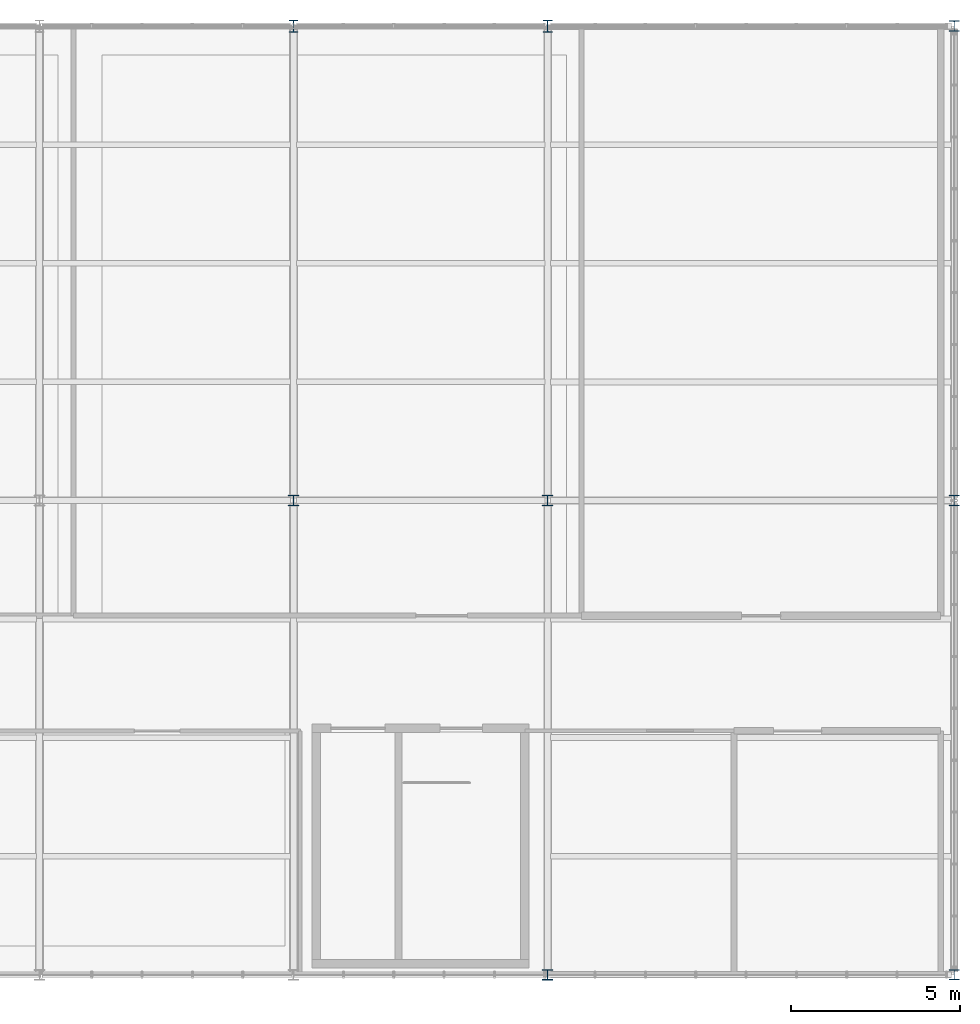
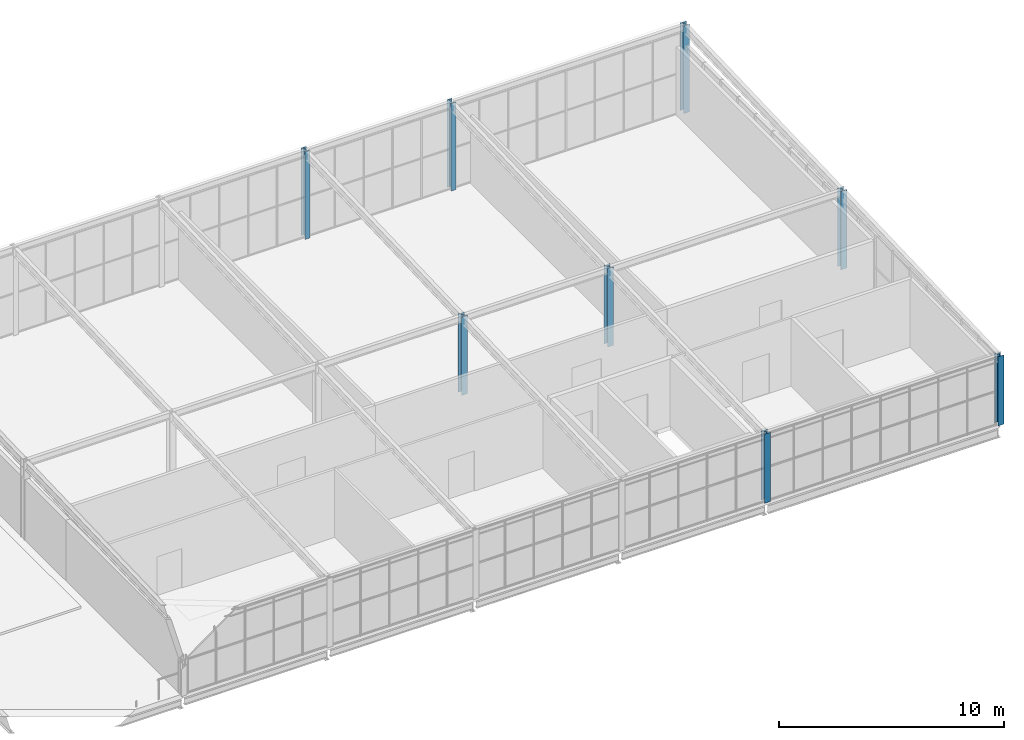
# One storey, part 2 of 27: 8 columns.
"""IFC4 building model written with IfcOpenShell, lengths in metres."""

from ifc_helpers import new_model, si_unit, direction, frame, origin, origin_2d, place, context, subcontext, project, spatial, i_section, extrude, material, material_profile, profile_set, type_object, element, save


model = new_model("IFC4")

# Units and contexts
model_context = context("Model", 3, precision=1e-05, world=origin(), true_north=direction((0.0, 1.0)))
body_context = subcontext(model_context, "Body", "Model", "MODEL_VIEW")
ifc_project = project(units=[si_unit("LENGTHUNIT", "METRE"), si_unit("AREAUNIT", "SQUARE_METRE"), si_unit("VOLUMEUNIT", "CUBIC_METRE"), si_unit("PLANEANGLEUNIT", "RADIAN"), si_unit("MASSUNIT", "GRAM", prefix="KILO")], contexts=[model_context])

# Site, building, storey
site_placement = place(None, origin())
site = spatial("IfcSite", under=ifc_project, at=site_placement, CompositionType="ELEMENT")
building_placement = place(site_placement, origin())
building = spatial("IfcBuilding", under=site, at=building_placement, Name="Solvenia Promenade Tram Depot", CompositionType="ELEMENT")
storey_placement = place(building_placement, frame((0.0, 0.0, 13.5)))
storey = spatial("IfcBuildingStorey", under=building, at=storey_placement, Name="L03", CompositionType="ELEMENT", Elevation=13.5)

# Columns
ifc_material = material(Name="Structural steel ASTM A992 Gr. 50", Category="steel")
ifc_material_profile_1 = material_profile(ifc_material, i_section(OverallWidth=0.304931640625, OverallDepth=0.30810546875, WebThickness=0.010009765625, FlangeThickness=0.015380859375, FilletRadius=0.014892578125, at=origin_2d()), Name="W310x97", Category="steel")
ifc_profile_set_1 = profile_set([ifc_material_profile_1], Name="Structural steel ASTM A992 Gr. 50")
column_type_1 = type_object("IfcColumnType", Name="Col-W310x97", PredefinedType="COLUMN", material=ifc_profile_set_1)
column_1_placement = place(storey_placement, frame((142.5, 52.0, 0.0), z_axis=(0.0, 0.0, 1.0), x_axis=(1.0, 0.0, 0.0)))
element("IfcColumn", 1, at=column_1_placement, inside=storey, type_object=column_type_1, Name="Steel Column COL-L03-295", PredefinedType="COLUMN", context=body_context, shape_type="SweptSolid", body=[
    extrude(i_section(OverallWidth=0.304931640625, OverallDepth=0.30810546875, WebThickness=0.010009765625, FlangeThickness=0.015380859375, FilletRadius=0.014892578125, at=origin_2d()), origin(), (0.0, 0.0, 1.0), 4.260009765625),
])
column_2_placement = place(storey_placement, frame((150.0, 38.0, 0.0), z_axis=(0.0, 0.0, 1.0), x_axis=(1.0, 0.0, 0.0)))
element("IfcColumn", 2, at=column_2_placement, inside=storey, type_object=column_type_1, Name="Steel Column COL-L03-312", PredefinedType="COLUMN", context=body_context, shape_type="SweptSolid", body=[
    extrude(i_section(OverallWidth=0.304931640625, OverallDepth=0.30810546875, WebThickness=0.010009765625, FlangeThickness=0.015380859375, FilletRadius=0.014892578125, at=origin_2d()), origin(), (0.0, 0.0, 1.0), 3.760009765625),
])
column_3_placement = place(storey_placement, frame((150.0, 52.0, 0.0), z_axis=(0.0, 0.0, 1.0), x_axis=(1.0, 0.0, 0.0)))
element("IfcColumn", 3, at=column_3_placement, inside=storey, type_object=column_type_1, Name="Steel Column COL-L03-316", PredefinedType="COLUMN", context=body_context, shape_type="SweptSolid", body=[
    extrude(i_section(OverallWidth=0.304931640625, OverallDepth=0.30810546875, WebThickness=0.010009765625, FlangeThickness=0.015380859375, FilletRadius=0.014892578125, at=origin_2d()), origin(), (0.0, 0.0, 1.0), 4.260009765625),
])
column_4_placement = place(storey_placement, frame((162.0, 38.0, 0.0), z_axis=(0.0, 0.0, 1.0), x_axis=(1.0, 0.0, 0.0)))
element("IfcColumn", 4, at=column_4_placement, inside=storey, type_object=column_type_1, Name="Steel Column COL-L03-333", PredefinedType="COLUMN", context=body_context, shape_type="SweptSolid", body=[
    extrude(i_section(OverallWidth=0.304931640625, OverallDepth=0.30810546875, WebThickness=0.010009765625, FlangeThickness=0.015380859375, FilletRadius=0.014892578125, at=origin_2d()), origin(), (0.0, 0.0, 1.0), 3.760009765625),
])
column_5_placement = place(storey_placement, frame((162.0, 52.0, 0.0), z_axis=(0.0, 0.0, 1.0), x_axis=(1.0, 0.0, 0.0)))
element("IfcColumn", 5, at=column_5_placement, inside=storey, type_object=column_type_1, Name="Steel Column COL-L03-337", PredefinedType="COLUMN", context=body_context, shape_type="SweptSolid", body=[
    extrude(i_section(OverallWidth=0.304931640625, OverallDepth=0.30810546875, WebThickness=0.010009765625, FlangeThickness=0.015380859375, FilletRadius=0.014892578125, at=origin_2d()), origin(), (0.0, 0.0, 1.0), 4.260009765625),
])
column_6_placement = place(storey_placement, frame((162.0, 66.0, 0.0), z_axis=(0.0, 0.0, 1.0), x_axis=(1.0, 0.0, 0.0)))
element("IfcColumn", 6, at=column_6_placement, inside=storey, type_object=column_type_1, Name="Steel Column COL-L03-341", PredefinedType="COLUMN", context=body_context, shape_type="SweptSolid", body=[
    extrude(i_section(OverallWidth=0.304931640625, OverallDepth=0.30810546875, WebThickness=0.010009765625, FlangeThickness=0.015380859375, FilletRadius=0.014892578125, at=origin_2d()), origin(), (0.0, 0.0, 1.0), 4.760009765625),
])
ifc_material_profile_2 = material_profile(ifc_material, i_section(OverallWidth=0.257080078125, OverallDepth=0.363037109375, WebThickness=0.012939453125, FlangeThickness=0.021728515625, FilletRadius=0.014892578125, at=origin_2d()), Name="W360x122", Category="steel")
ifc_profile_set_2 = profile_set([ifc_material_profile_2], Name="Structural steel ASTM A992 Gr. 50")
column_type_2 = type_object("IfcColumnType", Name="Col-W360x122", PredefinedType="COLUMN", material=ifc_profile_set_2)
for number, where, z_axis, x_axis, name in (
    (7, (142.5, 66.0, 0.0), (0.0, 0.0, 1.0), (1.0, 0.0, 0.0), "Steel Column COL-L03-299"),
    (8, (150.0, 66.0, 0.0), (0.0, 0.0, 1.0), (1.0, 0.0, 0.0), "Steel Column COL-L03-320"),
):
    element("IfcColumn", number, at=place(storey_placement, frame(where, z_axis=z_axis, x_axis=x_axis)), inside=storey, type_object=column_type_2, Name=name, PredefinedType="COLUMN", context=body_context, shape_type="SweptSolid", body=[
        extrude(i_section(OverallWidth=0.257080078125, OverallDepth=0.363037109375, WebThickness=0.012939453125, FlangeThickness=0.021728515625, FilletRadius=0.014892578125, at=origin_2d()), origin(), (0.0, 0.0, 1.0), 4.760009765625),
    ])

save(model, "model.ifc")
